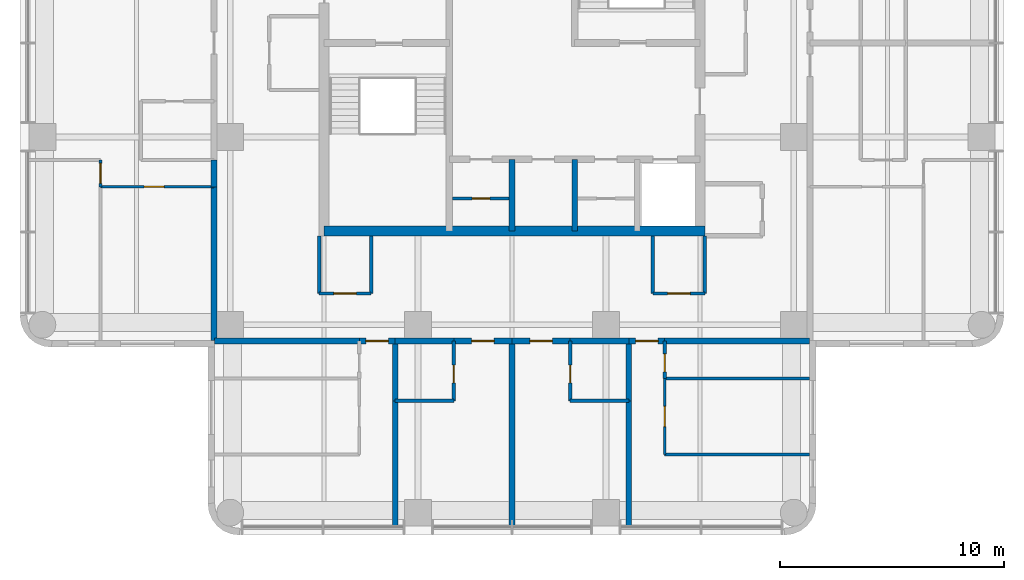
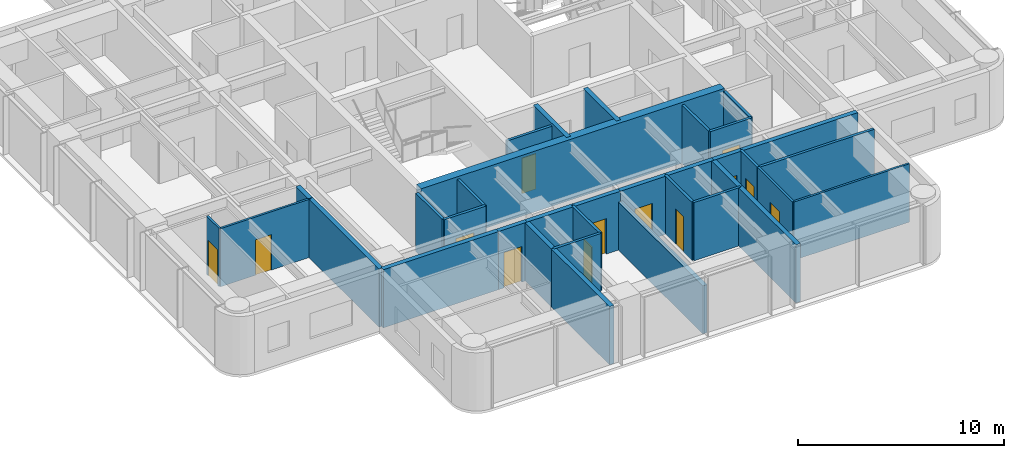
# One storey, part 4 of 10: 35 walls, 13 doors, 13 openings.
"""IFC4 building model written with IfcOpenShell, lengths in metres."""

from ifc_helpers import new_model, si_unit, direction, frame, frame_2d, origin, place, context, subcontext, project, spatial, rectangle, extrude, material, layer, layer_set, type_object, element, fill, save


model = new_model("IFC4")

# Units and contexts
model_context = context("Model", 3, precision=1e-05, world=origin(), true_north=direction((0.0, 1.0)))
body_context = subcontext(model_context, "Body", "Model", "MODEL_VIEW")
ifc_project = project(units=[si_unit("LENGTHUNIT", "METRE"), si_unit("AREAUNIT", "SQUARE_METRE"), si_unit("VOLUMEUNIT", "CUBIC_METRE"), si_unit("PLANEANGLEUNIT", "RADIAN"), si_unit("MASSUNIT", "GRAM", prefix="KILO")], contexts=[model_context])

# Site, building, storey
site_placement = place(None, origin())
site = spatial("IfcSite", under=ifc_project, at=site_placement, CompositionType="ELEMENT")
building_placement = place(site_placement, origin())
building = spatial("IfcBuilding", under=site, at=building_placement, Name="Torre Alcanfor", CompositionType="ELEMENT")
storey_placement = place(building_placement, frame((0.0, 0.0, 279.300048828125)))
storey = spatial("IfcBuildingStorey", under=building, at=storey_placement, Name="L73", CompositionType="ELEMENT", Elevation=279.300048828125)

# Wall, opening, door
ifc_material_1 = material(Name="Concrete block masonry, hollow blocks NMX-C-404 9 MPa", Category="masonry")
ifc_layer_1 = layer(ifc_material_1, 0.25)
ifc_layer_set_1 = layer_set([ifc_layer_1], Name="Apartment entrance wall 250 EI 60")
wall_type_1 = type_object("IfcWallType", Name="Apartment entrance wall 250 EI 60", PredefinedType="PARTITIONING", material=ifc_layer_set_1)
wall_1_placement = place(storey_placement, frame((32.0, 16.074951171875, 0.0), z_axis=(0.0, 0.0, 1.0), x_axis=(-1.0, 0.0, 0.0)))
wall_1 = element("IfcWall", 1, at=wall_1_placement, inside=storey, type_object=wall_type_1, Name="Partition L73-CORR / L73-S1A-STUDIO", PredefinedType="PARTITIONING", context=body_context, shape_type="SweptSolid", body=[
    extrude(rectangle(XDim=2.60009765625, YDim=0.25, at=frame_2d((1.300048828125, 0.0))), origin(), (0.0, 0.0, 1.0), 3.449951171875),
])
opening_1_placement = place(wall_1_placement, frame((0.800048828125, 0.0, 0.0)))
opening_1 = element("IfcOpeningElement", 2, at=opening_1_placement, cuts=wall_1, Name="Opening D-A1", PredefinedType="OPENING", context=body_context, shape_type="SweptSolid", body=[
    extrude(rectangle(XDim=1.0, YDim=2.10009765625, at=frame_2d((0.5, 1.050048828125))), frame((0.0, 0.135009765625, 0.0), z_axis=(0.0, -1.0, 0.0), x_axis=(1.0, 0.0, 0.0)), (0.0, 0.0, 1.0), 0.27001953125),
])
ifc_material_2 = material(Name="Galvanised steel sheet ASTM A653", Category="steel")
door_type_1 = type_object("IfcDoorType", Name="Apartment entrance door FD60 1000x2100", OperationType="SINGLE_SWING_LEFT", PredefinedType="DOOR", material=ifc_material_2)
door_1_placement = place(opening_1_placement, origin())
door_1 = element("IfcDoor", 3, at=door_1_placement, inside=storey, type_object=door_type_1, Name="Apartment entrance L73-S1A", OperationType="SINGLE_SWING_LEFT", OverallHeight=2.10009765625, OverallWidth=1.0, PredefinedType="DOOR", context=body_context, shape_type="SweptSolid", body=[
    extrude(rectangle(XDim=1.0, YDim=2.10009765625, at=frame_2d((0.5, 1.050048828125))), frame((0.0, 0.02490234375, 0.0), z_axis=(0.0, -1.0, 0.0), x_axis=(1.0, 0.0, 0.0)), (0.0, 0.0, 1.0), 0.050048828125),
])
fill(opening_1, door_1)

# Wall
wall_2_placement = place(storey_placement, frame((34.62890625, 16.074951171875, 0.0), z_axis=(0.0, 0.0, 1.0), x_axis=(-1.0, 0.0, 0.0)))
element("IfcWall", 4, at=wall_2_placement, inside=storey, type_object=wall_type_1, Name="Partition L73-CORR / L73-S1A-BATH", PredefinedType="PARTITIONING", context=body_context, shape_type="SweptSolid", body=[
    extrude(rectangle(XDim=2.62890625, YDim=0.25, at=frame_2d((1.314453125, 0.0))), origin(), (0.0, 0.0, 1.0), 3.449951171875),
])

# Wall, opening, door
wall_3_placement = place(storey_placement, frame((36.22900390625, 16.074951171875, 0.0), z_axis=(0.0, 0.0, 1.0), x_axis=(-1.0, 0.0, 0.0)))
wall_3 = element("IfcWall", 5, at=wall_3_placement, inside=storey, type_object=wall_type_1, Name="Partition L73-CORR / L73-S1B-LIVING", PredefinedType="PARTITIONING", context=body_context, shape_type="SweptSolid", body=[
    extrude(rectangle(XDim=1.60009765625, YDim=0.25, at=frame_2d((0.800048828125, 0.0))), origin(), (0.0, 0.0, 1.0), 3.449951171875),
])
opening_2_placement = place(wall_3_placement, frame((0.300048828125, 0.0, 0.0)))
opening_2 = element("IfcOpeningElement", 6, at=opening_2_placement, cuts=wall_3, Name="Opening D-A1", PredefinedType="OPENING", context=body_context, shape_type="SweptSolid", body=[
    extrude(rectangle(XDim=1.0, YDim=2.10009765625, at=frame_2d((0.5, 1.050048828125))), frame((0.0, 0.135009765625, 0.0), z_axis=(0.0, -1.0, 0.0), x_axis=(1.0, 0.0, 0.0)), (0.0, 0.0, 1.0), 0.27001953125),
])
door_2_placement = place(opening_2_placement, origin())
door_2 = element("IfcDoor", 7, at=door_2_placement, inside=storey, type_object=door_type_1, Name="Apartment entrance L73-S1B", OperationType="SINGLE_SWING_LEFT", OverallHeight=2.10009765625, OverallWidth=1.0, PredefinedType="DOOR", context=body_context, shape_type="SweptSolid", body=[
    extrude(rectangle(XDim=1.0, YDim=2.10009765625, at=frame_2d((0.5, 1.050048828125))), frame((0.0, 0.02490234375, 0.0), z_axis=(0.0, -1.0, 0.0), x_axis=(1.0, 0.0, 0.0)), (0.0, 0.0, 1.0), 0.050048828125),
])
fill(opening_2, door_2)

# Wall
wall_4_placement = place(storey_placement, frame((42.699951171875, 16.074951171875, 0.0), z_axis=(0.0, 0.0, 1.0), x_axis=(-1.0, 0.0, 0.0)))
element("IfcWall", 8, at=wall_4_placement, inside=storey, type_object=wall_type_1, Name="Partition L73-CORR / L73-S1B-BATH", PredefinedType="PARTITIONING", context=body_context, shape_type="SweptSolid", body=[
    extrude(rectangle(XDim=6.470947265625, YDim=0.25, at=frame_2d((3.2353515625, 0.0))), origin(), (0.0, 0.0, 1.0), 3.449951171875),
])

# Wall, opening, door
wall_5_placement = place(storey_placement, frame((29.39990234375, 16.074951171875, 0.0), z_axis=(0.0, 0.0, 1.0), x_axis=(-1.0, 0.0, 0.0)))
wall_5 = element("IfcWall", 9, at=wall_5_placement, inside=storey, type_object=wall_type_1, Name="Partition L73-CORR / L73-S2A-STUDIO", PredefinedType="PARTITIONING", context=body_context, shape_type="SweptSolid", body=[
    extrude(rectangle(XDim=2.599853515625, YDim=0.25, at=frame_2d((1.2998046875, 0.0))), origin(), (0.0, 0.0, 1.0), 3.449951171875),
])
opening_3_placement = place(wall_5_placement, frame((0.800048828125, 0.0, 0.0)))
opening_3 = element("IfcOpeningElement", 10, at=opening_3_placement, cuts=wall_5, Name="Opening D-A1", PredefinedType="OPENING", context=body_context, shape_type="SweptSolid", body=[
    extrude(rectangle(XDim=1.0, YDim=2.10009765625, at=frame_2d((0.5, 1.050048828125))), frame((0.0, 0.135009765625, 0.0), z_axis=(0.0, -1.0, 0.0), x_axis=(1.0, 0.0, 0.0)), (0.0, 0.0, 1.0), 0.27001953125),
])
door_3_placement = place(opening_3_placement, origin())
door_3 = element("IfcDoor", 11, at=door_3_placement, inside=storey, type_object=door_type_1, Name="Apartment entrance L73-S2A", OperationType="SINGLE_SWING_LEFT", OverallHeight=2.10009765625, OverallWidth=1.0, PredefinedType="DOOR", context=body_context, shape_type="SweptSolid", body=[
    extrude(rectangle(XDim=1.0, YDim=2.10009765625, at=frame_2d((0.5, 1.050048828125))), frame((0.0, 0.02490234375, 0.0), z_axis=(0.0, -1.0, 0.0), x_axis=(1.0, 0.0, 0.0)), (0.0, 0.0, 1.0), 0.050048828125),
])
fill(opening_3, door_3)

# Wall
wall_6_placement = place(storey_placement, frame((26.800048828125, 16.074951171875, 0.0), z_axis=(0.0, 0.0, 1.0), x_axis=(-1.0, 0.0, 0.0)))
element("IfcWall", 12, at=wall_6_placement, inside=storey, type_object=wall_type_1, Name="Partition L73-CORR / L73-S2A-BATH", PredefinedType="PARTITIONING", context=body_context, shape_type="SweptSolid", body=[
    extrude(rectangle(XDim=2.629150390625, YDim=0.25, at=frame_2d((1.314453125, 0.0))), origin(), (0.0, 0.0, 1.0), 3.449951171875),
])

# Wall, opening, door
wall_7_placement = place(storey_placement, frame((24.1708984375, 16.074951171875, 0.0), z_axis=(0.0, 0.0, 1.0), x_axis=(-1.0, 0.0, 0.0)))
wall_7 = element("IfcWall", 13, at=wall_7_placement, inside=storey, type_object=wall_type_1, Name="Partition L73-CORR / L73-S2B-LIVING", PredefinedType="PARTITIONING", context=body_context, shape_type="SweptSolid", body=[
    extrude(rectangle(XDim=1.599853515625, YDim=0.25, at=frame_2d((0.7998046875, 0.0))), origin(), (0.0, 0.0, 1.0), 3.449951171875),
])
opening_4_placement = place(wall_7_placement, frame((0.300048828125, 0.0, 0.0)))
opening_4 = element("IfcOpeningElement", 14, at=opening_4_placement, cuts=wall_7, Name="Opening D-A1", PredefinedType="OPENING", context=body_context, shape_type="SweptSolid", body=[
    extrude(rectangle(XDim=1.0, YDim=2.10009765625, at=frame_2d((0.5, 1.050048828125))), frame((0.0, 0.135009765625, 0.0), z_axis=(0.0, -1.0, 0.0), x_axis=(1.0, 0.0, 0.0)), (0.0, 0.0, 1.0), 0.27001953125),
])
door_4_placement = place(opening_4_placement, origin())
door_4 = element("IfcDoor", 15, at=door_4_placement, inside=storey, type_object=door_type_1, Name="Apartment entrance L73-S2B", OperationType="SINGLE_SWING_LEFT", OverallHeight=2.10009765625, OverallWidth=1.0, PredefinedType="DOOR", context=body_context, shape_type="SweptSolid", body=[
    extrude(rectangle(XDim=1.0, YDim=2.10009765625, at=frame_2d((0.5, 1.050048828125))), frame((0.0, 0.02490234375, 0.0), z_axis=(0.0, -1.0, 0.0), x_axis=(1.0, 0.0, 0.0)), (0.0, 0.0, 1.0), 0.050048828125),
])
fill(opening_4, door_4)

# Walls
wall_8_placement = place(storey_placement, frame((22.571044921875, 16.074951171875, 0.0), z_axis=(0.0, 0.0, 1.0), x_axis=(-1.0, 0.0, 0.0)))
element("IfcWall", 16, at=wall_8_placement, inside=storey, type_object=wall_type_1, Name="Partition L73-CORR / L73-S2B-BATH", PredefinedType="PARTITIONING", context=body_context, shape_type="SweptSolid", body=[
    extrude(rectangle(XDim=6.470947265625, YDim=0.25, at=frame_2d((3.2353515625, 0.0))), origin(), (0.0, 0.0, 1.0), 3.449951171875),
])
wall_9_placement = place(storey_placement, frame((16.074951171875, 22.970947265625, 0.0), z_axis=(0.0, 0.0, 1.0), x_axis=(0.0, 1.0, 0.0)))
element("IfcWall", 17, at=wall_9_placement, inside=storey, type_object=wall_type_1, Name="Partition L73-CORR / L73-WX-LIVING", PredefinedType="PARTITIONING", context=body_context, shape_type="SweptSolid", body=[
    extrude(rectangle(XDim=1.199951171875, YDim=0.25, at=frame_2d((0.60009765625, 0.0))), origin(), (0.0, 0.0, 1.0), 3.449951171875),
])
wall_10_placement = place(storey_placement, frame((16.074951171875, 16.10009765625, 0.0), z_axis=(0.0, 0.0, 1.0), x_axis=(0.0, 1.0, 0.0)))
element("IfcWall", 18, at=wall_10_placement, inside=storey, type_object=wall_type_1, Name="Partition L73-CORR / L73-WX-BED2", PredefinedType="PARTITIONING", context=body_context, shape_type="SweptSolid", body=[
    extrude(rectangle(XDim=6.870849609375, YDim=0.25, at=frame_2d((3.435546875, 0.0))), origin(), (0.0, 0.0, 1.0), 3.449951171875),
])

# Wall, opening, door
ifc_material_3 = material(Name="Gypsum board on steel studs", Category="steel")
ifc_layer_2 = layer(ifc_material_3, 0.1201171875)
ifc_layer_set_2 = layer_set([ifc_layer_2], Name="Apartment partition 120")
wall_type_2 = type_object("IfcWallType", Name="Apartment partition 120", PredefinedType="PARTITIONING", material=ifc_layer_set_2)
wall_11_placement = place(storey_placement, frame((36.22900390625, 14.39990234375, 0.0), z_axis=(0.0, 0.0, 1.0), x_axis=(0.0, -1.0, 0.0)))
wall_11 = element("IfcWall", 19, at=wall_11_placement, inside=storey, type_object=wall_type_2, Name="Partition L73-S1B-LIVING / L73-S1B-MASTER", PredefinedType="PARTITIONING", context=body_context, shape_type="SweptSolid", body=[
    extrude(rectangle(XDim=3.39990234375, YDim=0.1201171875, at=frame_2d((1.699951171875, 0.0))), origin(), (0.0, 0.0, 1.0), 3.449951171875),
])
opening_5_placement = place(wall_11_placement, frame((1.25, 0.0, 0.0)))
opening_5 = element("IfcOpeningElement", 20, at=opening_5_placement, cuts=wall_11, Name="Opening D-R1", PredefinedType="OPENING", context=body_context, shape_type="SweptSolid", body=[
    extrude(rectangle(XDim=0.89990234375, YDim=2.10009765625, at=frame_2d((0.449951171875, 1.050048828125))), frame((0.0, 0.070068359375, 0.0), z_axis=(0.0, -1.0, 0.0), x_axis=(1.0, 0.0, 0.0)), (0.0, 0.0, 1.0), 0.14013671875),
])
ifc_material_4 = material(Name="Timber", Category="wood")
door_type_2 = type_object("IfcDoorType", Name="Internal door 900x2100", OperationType="SINGLE_SWING_LEFT", PredefinedType="DOOR", material=ifc_material_4)
door_5_placement = place(opening_5_placement, origin())
door_5 = element("IfcDoor", 21, at=door_5_placement, inside=storey, type_object=door_type_2, Name="Door L73-S1B master", OperationType="SINGLE_SWING_LEFT", OverallHeight=2.10009765625, OverallWidth=0.89990234375, PredefinedType="DOOR", context=body_context, shape_type="SweptSolid", body=[
    extrude(rectangle(XDim=0.89990234375, YDim=2.10009765625, at=frame_2d((0.449951171875, 1.050048828125))), frame((0.0, 0.02490234375, 0.0), z_axis=(0.0, -1.0, 0.0), x_axis=(1.0, 0.0, 0.0)), (0.0, 0.0, 1.0), 0.050048828125),
])
fill(opening_5, door_5)

# Wall
wall_12_placement = place(storey_placement, frame((36.22900390625, 11.0, 0.0), z_axis=(0.0, 0.0, 1.0), x_axis=(1.0, 0.0, 0.0)))
element("IfcWall", 22, at=wall_12_placement, inside=storey, type_object=wall_type_2, Name="Partition L73-S1B-LIVING / L73-S1B-MASTER", PredefinedType="PARTITIONING", context=body_context, shape_type="SweptSolid", body=[
    extrude(rectangle(XDim=6.470947265625, YDim=0.1201171875, at=frame_2d((3.2353515625, 0.0))), origin(), (0.0, 0.0, 1.0), 3.449951171875),
])

# Wall, opening, door
wall_13_placement = place(storey_placement, frame((16.074951171875, 22.970947265625, 0.0), z_axis=(0.0, 0.0, 1.0), x_axis=(-1.0, 0.0, 0.0)))
wall_13 = element("IfcWall", 23, at=wall_13_placement, inside=storey, type_object=wall_type_2, Name="Partition L73-WX-LIVING / L73-WX-BED2", PredefinedType="PARTITIONING", context=body_context, shape_type="SweptSolid", body=[
    extrude(rectangle(XDim=5.074951171875, YDim=0.1201171875, at=frame_2d((2.53759765625, 0.0))), origin(), (0.0, 0.0, 1.0), 3.449951171875),
])
opening_6_placement = place(wall_13_placement, frame((2.22509765625, 0.0, 0.0)))
opening_6 = element("IfcOpeningElement", 24, at=opening_6_placement, cuts=wall_13, Name="Opening D-R1", PredefinedType="OPENING", context=body_context, shape_type="SweptSolid", body=[
    extrude(rectangle(XDim=0.89990234375, YDim=2.10009765625, at=frame_2d((0.449951171875, 1.050048828125))), frame((0.0, 0.070068359375, 0.0), z_axis=(0.0, -1.0, 0.0), x_axis=(1.0, 0.0, 0.0)), (0.0, 0.0, 1.0), 0.14013671875),
])
door_6_placement = place(opening_6_placement, origin())
door_6 = element("IfcDoor", 25, at=door_6_placement, inside=storey, type_object=door_type_2, Name="Door L73-WX bed2", OperationType="SINGLE_SWING_RIGHT", OverallHeight=2.10009765625, OverallWidth=0.89990234375, PredefinedType="DOOR", context=body_context, shape_type="SweptSolid", body=[
    extrude(rectangle(XDim=0.89990234375, YDim=2.10009765625, at=frame_2d((0.449951171875, 1.050048828125))), frame((0.0, 0.02490234375, 0.0), z_axis=(0.0, -1.0, 0.0), x_axis=(1.0, 0.0, 0.0)), (0.0, 0.0, 1.0), 0.050048828125),
])
fill(opening_6, door_6)

wall_14_placement = place(storey_placement, frame((11.0, 22.970947265625, 0.0), z_axis=(0.0, 0.0, 1.0), x_axis=(0.0, 1.0, 0.0)))
wall_14 = element("IfcWall", 26, at=wall_14_placement, inside=storey, type_object=wall_type_2, Name="Partition L73-WX-LIVING / L73-WX-MASTER", PredefinedType="PARTITIONING", context=body_context, shape_type="SweptSolid", body=[
    extrude(rectangle(XDim=1.199951171875, YDim=0.1201171875, at=frame_2d((0.60009765625, 0.0))), origin(), (0.0, 0.0, 1.0), 3.449951171875),
])
opening_7_placement = place(wall_14_placement, frame((0.14892578125, 0.0, 0.0)))
opening_7 = element("IfcOpeningElement", 27, at=opening_7_placement, cuts=wall_14, Name="Opening D-R1", PredefinedType="OPENING", context=body_context, shape_type="SweptSolid", body=[
    extrude(rectangle(XDim=0.89990234375, YDim=2.10009765625, at=frame_2d((0.449951171875, 1.050048828125))), frame((0.0, 0.070068359375, 0.0), z_axis=(0.0, -1.0, 0.0), x_axis=(1.0, 0.0, 0.0)), (0.0, 0.0, 1.0), 0.14013671875),
])
door_7_placement = place(opening_7_placement, origin())
door_7 = element("IfcDoor", 28, at=door_7_placement, inside=storey, type_object=door_type_2, Name="Door L73-WX master", OperationType="SINGLE_SWING_RIGHT", OverallHeight=2.10009765625, OverallWidth=0.89990234375, PredefinedType="DOOR", context=body_context, shape_type="SweptSolid", body=[
    extrude(rectangle(XDim=0.89990234375, YDim=2.10009765625, at=frame_2d((0.449951171875, 1.050048828125))), frame((0.0, 0.02490234375, 0.0), z_axis=(0.0, -1.0, 0.0), x_axis=(1.0, 0.0, 0.0)), (0.0, 0.0, 1.0), 0.050048828125),
])
fill(opening_7, door_7)

# Walls
ifc_material_5 = material(Name="Concrete f'c 70 MPa", Category="concrete")
ifc_layer_3 = layer(ifc_material_5, 0.25)
ifc_layer_set_3 = layer_set([ifc_layer_3], Name="Core shaft wall 250 f'c70")
wall_type_3 = type_object("IfcWallType", Name="Core shaft wall 250 f'c70", PredefinedType="SHEAR", material=ifc_layer_set_3)
for number, where, z_axis, x_axis, name in (
    (29, (29.39990234375, 21.0, 0.0), (0.0, 0.0, 1.0), (0.0, 1.0, 0.0), "Core wall X294S L73"),
    (30, (32.199951171875, 21.0, 0.0), (0.0, 0.0, 1.0), (0.0, 1.0, 0.0), "Core wall X322S L73"),
):
    element("IfcWall", number, at=place(storey_placement, frame(where, z_axis=z_axis, x_axis=x_axis)), inside=storey, type_object=wall_type_3, Name=name, PredefinedType="SHEAR", context=body_context, shape_type="SweptSolid", body=[
        extrude(rectangle(XDim=3.199951171875, YDim=0.25, at=frame_2d((1.60009765625, 0.0))), origin(), (0.0, 0.0, 1.0), 3.599853515625),
    ])
ifc_material_6 = material(Name="Concrete f'c 70 MPa", Category="concrete")
ifc_layer_4 = layer(ifc_material_6, 0.449951171875)
ifc_layer_set_4 = layer_set([ifc_layer_4], Name="Core wall 450 f'c70")
wall_type_4 = type_object("IfcWallType", Name="Core wall 450 f'c70", PredefinedType="SHEAR", material=ifc_layer_set_4)
wall_15_placement = place(storey_placement, frame((21.0, 21.0, 0.0), z_axis=(0.0, 0.0, 1.0), x_axis=(1.0, 0.0, 0.0)))
element("IfcWall", 31, at=wall_15_placement, inside=storey, type_object=wall_type_4, Name="Core wall OUT-S L73", PredefinedType="SHEAR", context=body_context, shape_type="SweptSolid", body=[
    extrude(rectangle(XDim=17.02490234375, YDim=0.449951171875, at=frame_2d((8.512451171875, 0.0))), origin(), (0.0, 0.0, 1.0), 3.599853515625),
])
ifc_material_7 = material(Name="Concrete block masonry, hollow blocks NMX-C-404 9 MPa", Category="masonry")
ifc_layer_5 = layer(ifc_material_7, 0.25)
ifc_layer_set_5 = layer_set([ifc_layer_5], Name="Party wall 250 EI 60")
wall_type_5 = type_object("IfcWallType", Name="Party wall 250 EI 60", PredefinedType="PARTITIONING", material=ifc_layer_set_5)
wall_16_placement = place(storey_placement, frame((34.62890625, 13.39990234375, 0.0), z_axis=(0.0, 0.0, 1.0), x_axis=(0.0, -1.0, 0.0)))
element("IfcWall", 32, at=wall_16_placement, inside=storey, type_object=wall_type_5, Name="Partition L73-S1A-STUDIO / L73-S1B-LIVING", PredefinedType="PARTITIONING", context=body_context, shape_type="SweptSolid", body=[
    extrude(rectangle(XDim=5.64990234375, YDim=0.25, at=frame_2d((2.824951171875, 0.0))), origin(), (0.0, 0.0, 1.0), 3.449951171875),
])
wall_17_placement = place(storey_placement, frame((29.39990234375, 7.75, 0.0), z_axis=(0.0, 0.0, 1.0), x_axis=(0.0, 1.0, 0.0)))
element("IfcWall", 33, at=wall_17_placement, inside=storey, type_object=wall_type_5, Name="Partition L73-S1A-STUDIO / L73-S2A-STUDIO", PredefinedType="PARTITIONING", context=body_context, shape_type="SweptSolid", body=[
    extrude(rectangle(XDim=8.324951171875, YDim=0.25, at=frame_2d((4.16259765625, 0.0))), origin(), (0.0, 0.0, 1.0), 2.847900390625),
])
wall_18_placement = place(storey_placement, frame((34.62890625, 13.39990234375, 0.0), z_axis=(0.0, 0.0, 1.0), x_axis=(0.0, 1.0, 0.0)))
element("IfcWall", 34, at=wall_18_placement, inside=storey, type_object=wall_type_5, Name="Partition L73-S1A-BATH / L73-S1B-LIVING", PredefinedType="PARTITIONING", context=body_context, shape_type="SweptSolid", body=[
    extrude(rectangle(XDim=2.675048828125, YDim=0.25, at=frame_2d((1.33740234375, 0.0))), origin(), (0.0, 0.0, 1.0), 3.449951171875),
])
wall_19_placement = place(storey_placement, frame((24.1708984375, 7.75, 0.0), z_axis=(0.0, 0.0, 1.0), x_axis=(0.0, 1.0, 0.0)))
element("IfcWall", 35, at=wall_19_placement, inside=storey, type_object=wall_type_5, Name="Partition L73-S2A-STUDIO / L73-S2B-LIVING", PredefinedType="PARTITIONING", context=body_context, shape_type="SweptSolid", body=[
    extrude(rectangle(XDim=5.64990234375, YDim=0.25, at=frame_2d((2.824951171875, 0.0))), origin(), (0.0, 0.0, 1.0), 3.449951171875),
])
wall_20_placement = place(storey_placement, frame((24.1708984375, 13.39990234375, 0.0), z_axis=(0.0, 0.0, 1.0), x_axis=(0.0, 1.0, 0.0)))
element("IfcWall", 36, at=wall_20_placement, inside=storey, type_object=wall_type_5, Name="Partition L73-S2A-BATH / L73-S2B-LIVING", PredefinedType="PARTITIONING", context=body_context, shape_type="SweptSolid", body=[
    extrude(rectangle(XDim=2.675048828125, YDim=0.25, at=frame_2d((1.33740234375, 0.0))), origin(), (0.0, 0.0, 1.0), 3.449951171875),
])
ifc_material_8 = material(Name="Concrete block masonry, hollow blocks NMX-C-404 9 MPa", Category="masonry")
ifc_layer_6 = layer(ifc_material_8, 0.14990234375)
ifc_layer_set_6 = layer_set([ifc_layer_6], Name="Residents' room partition 150")
wall_type_6 = type_object("IfcWallType", Name="Residents' room partition 150", PredefinedType="PARTITIONING", material=ifc_layer_set_6)
wall_21_placement = place(storey_placement, frame((20.77490234375, 20.77490234375, 0.0), z_axis=(0.0, 0.0, 1.0), x_axis=(0.0, -1.0, 0.0)))
element("IfcWall", 37, at=wall_21_placement, inside=storey, type_object=wall_type_6, Name="Partition L73-CORR / L73-G05", PredefinedType="PARTITIONING", context=body_context, shape_type="SweptSolid", body=[
    extrude(rectangle(XDim=2.574951171875, YDim=0.14990234375, at=frame_2d((1.28759765625, 0.0))), origin(), (0.0, 0.0, 1.0), 3.449951171875),
])

# Wall, opening, door
wall_22_placement = place(storey_placement, frame((20.77490234375, 18.199951171875, 0.0), z_axis=(0.0, 0.0, 1.0), x_axis=(1.0, 0.0, 0.0)))
wall_22 = element("IfcWall", 38, at=wall_22_placement, inside=storey, type_object=wall_type_6, Name="Partition L73-CORR / L73-G05", PredefinedType="PARTITIONING", context=body_context, shape_type="SweptSolid", body=[
    extrude(rectangle(XDim=2.3251953125, YDim=0.14990234375, at=frame_2d((1.16259765625, 0.0))), origin(), (0.0, 0.0, 1.0), 3.449951171875),
])
opening_8_placement = place(wall_22_placement, frame((0.66259765625, 0.0, 0.0)))
opening_8 = element("IfcOpeningElement", 39, at=opening_8_placement, cuts=wall_22, Name="Opening D-M1", PredefinedType="OPENING", context=body_context, shape_type="SweptSolid", body=[
    extrude(rectangle(XDim=1.0, YDim=2.10009765625, at=frame_2d((0.5, 1.050048828125))), frame((0.0, 0.0849609375, 0.0), z_axis=(0.0, -1.0, 0.0), x_axis=(1.0, 0.0, 0.0)), (0.0, 0.0, 1.0), 0.169921875),
])
ifc_material_9 = material(Name="Timber", Category="wood")
door_type_3 = type_object("IfcDoorType", Name="Residents' room door 1000x2100", OperationType="SINGLE_SWING_LEFT", PredefinedType="DOOR", material=ifc_material_9)
door_8_placement = place(opening_8_placement, origin())
door_8 = element("IfcDoor", 40, at=door_8_placement, inside=storey, type_object=door_type_3, Name="Door L73-G05 residents' lockers", OperationType="SINGLE_SWING_LEFT", OverallHeight=2.10009765625, OverallWidth=1.0, PredefinedType="DOOR", context=body_context, shape_type="SweptSolid", body=[
    extrude(rectangle(XDim=1.0, YDim=2.10009765625, at=frame_2d((0.5, 1.050048828125))), frame((0.0, 0.02490234375, 0.0), z_axis=(0.0, -1.0, 0.0), x_axis=(1.0, 0.0, 0.0)), (0.0, 0.0, 1.0), 0.050048828125),
])
fill(opening_8, door_8)

# Walls
for number, where, z_axis, x_axis, name in (
    (41, (23.10009765625, 18.199951171875, 0.0), (0.0, 0.0, 1.0), (0.0, 1.0, 0.0), "Partition L73-CORR / L73-G05"),
    (42, (35.699951171875, 20.77490234375, 0.0), (0.0, 0.0, 1.0), (0.0, -1.0, 0.0), "Partition L73-CORR / L73-G06"),
):
    element("IfcWall", number, at=place(storey_placement, frame(where, z_axis=z_axis, x_axis=x_axis)), inside=storey, type_object=wall_type_6, Name=name, PredefinedType="PARTITIONING", context=body_context, shape_type="SweptSolid", body=[
        extrude(rectangle(XDim=2.574951171875, YDim=0.14990234375, at=frame_2d((1.28759765625, 0.0))), origin(), (0.0, 0.0, 1.0), 3.449951171875),
    ])

# Wall, opening, door
wall_23_placement = place(storey_placement, frame((35.699951171875, 18.199951171875, 0.0), z_axis=(0.0, 0.0, 1.0), x_axis=(1.0, 0.0, 0.0)))
wall_23 = element("IfcWall", 43, at=wall_23_placement, inside=storey, type_object=wall_type_6, Name="Partition L73-CORR / L73-G06", PredefinedType="PARTITIONING", context=body_context, shape_type="SweptSolid", body=[
    extrude(rectangle(XDim=2.324951171875, YDim=0.14990234375, at=frame_2d((1.16259765625, 0.0))), origin(), (0.0, 0.0, 1.0), 3.449951171875),
])
opening_9_placement = place(wall_23_placement, frame((0.66259765625, 0.0, 0.0)))
opening_9 = element("IfcOpeningElement", 44, at=opening_9_placement, cuts=wall_23, Name="Opening D-M1", PredefinedType="OPENING", context=body_context, shape_type="SweptSolid", body=[
    extrude(rectangle(XDim=1.0, YDim=2.10009765625, at=frame_2d((0.5, 1.050048828125))), frame((0.0, 0.0849609375, 0.0), z_axis=(0.0, -1.0, 0.0), x_axis=(1.0, 0.0, 0.0)), (0.0, 0.0, 1.0), 0.169921875),
])
door_9_placement = place(opening_9_placement, origin())
door_9 = element("IfcDoor", 45, at=door_9_placement, inside=storey, type_object=door_type_3, Name="Door L73-G06 residents' storage", OperationType="SINGLE_SWING_LEFT", OverallHeight=2.10009765625, OverallWidth=1.0, PredefinedType="DOOR", context=body_context, shape_type="SweptSolid", body=[
    extrude(rectangle(XDim=1.0, YDim=2.10009765625, at=frame_2d((0.5, 1.050048828125))), frame((0.0, 0.02490234375, 0.0), z_axis=(0.0, -1.0, 0.0), x_axis=(1.0, 0.0, 0.0)), (0.0, 0.0, 1.0), 0.050048828125),
])
fill(opening_9, door_9)

# Wall
wall_24_placement = place(storey_placement, frame((38.02490234375, 18.199951171875, 0.0), z_axis=(0.0, 0.0, 1.0), x_axis=(0.0, 1.0, 0.0)))
element("IfcWall", 46, at=wall_24_placement, inside=storey, type_object=wall_type_6, Name="Partition L73-CORR / L73-G06", PredefinedType="PARTITIONING", context=body_context, shape_type="SweptSolid", body=[
    extrude(rectangle(XDim=2.574951171875, YDim=0.14990234375, at=frame_2d((1.28759765625, 0.0))), origin(), (0.0, 0.0, 1.0), 3.449951171875),
])

# Wall, opening, door
wall_25_placement = place(storey_placement, frame((26.75, 22.449951171875, 0.0), z_axis=(0.0, 0.0, 1.0), x_axis=(1.0, 0.0, 0.0)))
wall_25 = element("IfcWall", 47, at=wall_25_placement, inside=storey, type_object=wall_type_6, Name="Partition L73-PA1R / L73-PA1C", PredefinedType="PARTITIONING", context=body_context, shape_type="SweptSolid", body=[
    extrude(rectangle(XDim=2.52490234375, YDim=0.14990234375, at=frame_2d((1.262451171875, 0.0))), origin(), (0.0, 0.0, 1.0), 3.449951171875),
])
opening_10_placement = place(wall_25_placement, frame((0.862548828125, 0.0, 0.0)))
opening_10 = element("IfcOpeningElement", 48, at=opening_10_placement, cuts=wall_25, Name="Opening D-R2", PredefinedType="OPENING", context=body_context, shape_type="SweptSolid", body=[
    extrude(rectangle(XDim=0.800048828125, YDim=2.10009765625, at=frame_2d((0.39990234375, 1.050048828125))), frame((0.0, 0.0849609375, 0.0), z_axis=(0.0, -1.0, 0.0), x_axis=(1.0, 0.0, 0.0)), (0.0, 0.0, 1.0), 0.169921875),
])
ifc_material_10 = material(Name="Timber", Category="wood")
door_type_4 = type_object("IfcDoorType", Name="Bathroom door 800x2100", OperationType="SINGLE_SWING_LEFT", PredefinedType="DOOR", material=ifc_material_10)
door_10_placement = place(opening_10_placement, frame((0.800048828125, 0.0, 0.0), z_axis=(0.0, 0.0, 1.0), x_axis=(-1.0, 0.0, 0.0)))
door_10 = element("IfcDoor", 49, at=door_10_placement, inside=storey, type_object=door_type_4, Name="Battery and UPS cupboard door L73", OperationType="SINGLE_SWING_RIGHT", OverallHeight=2.10009765625, OverallWidth=0.800048828125, PredefinedType="DOOR", context=body_context, shape_type="SweptSolid", body=[
    extrude(rectangle(XDim=0.800048828125, YDim=2.10009765625, at=frame_2d((0.400146484375, 1.050048828125))), frame((0.0, 0.025146484375, 0.0), z_axis=(0.0, -1.0, 0.0), x_axis=(1.0, 0.0, 0.0)), (0.0, 0.0, 1.0), 0.050048828125),
])
fill(opening_10, door_10)

ifc_material_11 = material(Name="Cement board on steel studs", Category="steel")
ifc_layer_7 = layer(ifc_material_11, 0.14990234375)
ifc_layer_set_7 = layer_set([ifc_layer_7], Name="Wet area partition 150")
wall_type_7 = type_object("IfcWallType", Name="Wet area partition 150", PredefinedType="PARTITIONING", material=ifc_layer_set_7)
wall_26_placement = place(storey_placement, frame((32.0, 16.074951171875, 0.0), z_axis=(0.0, 0.0, 1.0), x_axis=(0.0, -1.0, 0.0)))
wall_26 = element("IfcWall", 50, at=wall_26_placement, inside=storey, type_object=wall_type_7, Name="Partition L73-S1A-STUDIO / L73-S1A-BATH", PredefinedType="PARTITIONING", context=body_context, shape_type="SweptSolid", body=[
    extrude(rectangle(XDim=2.675048828125, YDim=0.14990234375, at=frame_2d((1.33740234375, 0.0))), origin(), (0.0, 0.0, 1.0), 3.449951171875),
])
opening_11_placement = place(wall_26_placement, frame((1.074951171875, 0.0, 0.0)))
opening_11 = element("IfcOpeningElement", 51, at=opening_11_placement, cuts=wall_26, Name="Opening D-R2", PredefinedType="OPENING", context=body_context, shape_type="SweptSolid", body=[
    extrude(rectangle(XDim=0.800048828125, YDim=2.10009765625, at=frame_2d((0.39990234375, 1.050048828125))), frame((0.0, 0.0849609375, 0.0), z_axis=(0.0, -1.0, 0.0), x_axis=(1.0, 0.0, 0.0)), (0.0, 0.0, 1.0), 0.169921875),
])
door_11_placement = place(opening_11_placement, origin())
door_11 = element("IfcDoor", 52, at=door_11_placement, inside=storey, type_object=door_type_4, Name="Door L73-S1A bath", OperationType="SINGLE_SWING_RIGHT", OverallHeight=2.10009765625, OverallWidth=0.800048828125, PredefinedType="DOOR", context=body_context, shape_type="SweptSolid", body=[
    extrude(rectangle(XDim=0.800048828125, YDim=2.10009765625, at=frame_2d((0.39990234375, 1.050048828125))), frame((0.0, 0.02490234375, 0.0), z_axis=(0.0, -1.0, 0.0), x_axis=(1.0, 0.0, 0.0)), (0.0, 0.0, 1.0), 0.050048828125),
])
fill(opening_11, door_11)

# Wall
wall_27_placement = place(storey_placement, frame((32.0, 13.39990234375, 0.0), z_axis=(0.0, 0.0, 1.0), x_axis=(1.0, 0.0, 0.0)))
element("IfcWall", 53, at=wall_27_placement, inside=storey, type_object=wall_type_7, Name="Partition L73-S1A-STUDIO / L73-S1A-BATH", PredefinedType="PARTITIONING", context=body_context, shape_type="SweptSolid", body=[
    extrude(rectangle(XDim=2.62890625, YDim=0.14990234375, at=frame_2d((1.314453125, 0.0))), origin(), (0.0, 0.0, 1.0), 3.449951171875),
])

# Wall, opening, door
wall_28_placement = place(storey_placement, frame((36.22900390625, 16.074951171875, 0.0), z_axis=(0.0, 0.0, 1.0), x_axis=(0.0, -1.0, 0.0)))
wall_28 = element("IfcWall", 54, at=wall_28_placement, inside=storey, type_object=wall_type_7, Name="Partition L73-S1B-LIVING / L73-S1B-BATH", PredefinedType="PARTITIONING", context=body_context, shape_type="SweptSolid", body=[
    extrude(rectangle(XDim=1.675048828125, YDim=0.14990234375, at=frame_2d((0.83740234375, 0.0))), origin(), (0.0, 0.0, 1.0), 3.449951171875),
])
opening_12_placement = place(wall_28_placement, frame((0.574951171875, 0.0, 0.0)))
opening_12 = element("IfcOpeningElement", 55, at=opening_12_placement, cuts=wall_28, Name="Opening D-R2", PredefinedType="OPENING", context=body_context, shape_type="SweptSolid", body=[
    extrude(rectangle(XDim=0.800048828125, YDim=2.10009765625, at=frame_2d((0.39990234375, 1.050048828125))), frame((0.0, 0.0849609375, 0.0), z_axis=(0.0, -1.0, 0.0), x_axis=(1.0, 0.0, 0.0)), (0.0, 0.0, 1.0), 0.169921875),
])
door_12_placement = place(opening_12_placement, origin())
door_12 = element("IfcDoor", 56, at=door_12_placement, inside=storey, type_object=door_type_4, Name="Door L73-S1B bath", OperationType="SINGLE_SWING_RIGHT", OverallHeight=2.10009765625, OverallWidth=0.800048828125, PredefinedType="DOOR", context=body_context, shape_type="SweptSolid", body=[
    extrude(rectangle(XDim=0.800048828125, YDim=2.10009765625, at=frame_2d((0.39990234375, 1.050048828125))), frame((0.0, 0.02490234375, 0.0), z_axis=(0.0, -1.0, 0.0), x_axis=(1.0, 0.0, 0.0)), (0.0, 0.0, 1.0), 0.050048828125),
])
fill(opening_12, door_12)

# Walls
wall_29_placement = place(storey_placement, frame((36.22900390625, 14.39990234375, 0.0), z_axis=(0.0, 0.0, 1.0), x_axis=(1.0, 0.0, 0.0)))
element("IfcWall", 57, at=wall_29_placement, inside=storey, type_object=wall_type_7, Name="Partition L73-S1B-BATH / L73-S1B-MASTER", PredefinedType="PARTITIONING", context=body_context, shape_type="SweptSolid", body=[
    extrude(rectangle(XDim=6.470947265625, YDim=0.14990234375, at=frame_2d((3.2353515625, 0.0))), origin(), (0.0, 0.0, 1.0), 3.449951171875),
])
wall_30_placement = place(storey_placement, frame((24.1708984375, 13.39990234375, 0.0), z_axis=(0.0, 0.0, 1.0), x_axis=(1.0, 0.0, 0.0)))
element("IfcWall", 58, at=wall_30_placement, inside=storey, type_object=wall_type_7, Name="Partition L73-S2A-STUDIO / L73-S2A-BATH", PredefinedType="PARTITIONING", context=body_context, shape_type="SweptSolid", body=[
    extrude(rectangle(XDim=2.629150390625, YDim=0.14990234375, at=frame_2d((1.314453125, 0.0))), origin(), (0.0, 0.0, 1.0), 3.449951171875),
])

# Wall, opening, door
wall_31_placement = place(storey_placement, frame((26.800048828125, 13.39990234375, 0.0), z_axis=(0.0, 0.0, 1.0), x_axis=(0.0, 1.0, 0.0)))
wall_31 = element("IfcWall", 59, at=wall_31_placement, inside=storey, type_object=wall_type_7, Name="Partition L73-S2A-STUDIO / L73-S2A-BATH", PredefinedType="PARTITIONING", context=body_context, shape_type="SweptSolid", body=[
    extrude(rectangle(XDim=2.675048828125, YDim=0.14990234375, at=frame_2d((1.33740234375, 0.0))), origin(), (0.0, 0.0, 1.0), 3.449951171875),
])
opening_13_placement = place(wall_31_placement, frame((0.800048828125, 0.0, 0.0)))
opening_13 = element("IfcOpeningElement", 60, at=opening_13_placement, cuts=wall_31, Name="Opening D-R2", PredefinedType="OPENING", context=body_context, shape_type="SweptSolid", body=[
    extrude(rectangle(XDim=0.800048828125, YDim=2.10009765625, at=frame_2d((0.39990234375, 1.050048828125))), frame((0.0, 0.0849609375, 0.0), z_axis=(0.0, -1.0, 0.0), x_axis=(1.0, 0.0, 0.0)), (0.0, 0.0, 1.0), 0.169921875),
])
door_13_placement = place(opening_13_placement, origin())
door_13 = element("IfcDoor", 61, at=door_13_placement, inside=storey, type_object=door_type_4, Name="Door L73-S2A bath", OperationType="SINGLE_SWING_LEFT", OverallHeight=2.10009765625, OverallWidth=0.800048828125, PredefinedType="DOOR", context=body_context, shape_type="SweptSolid", body=[
    extrude(rectangle(XDim=0.800048828125, YDim=2.10009765625, at=frame_2d((0.39990234375, 1.050048828125))), frame((0.0, 0.02490234375, 0.0), z_axis=(0.0, -1.0, 0.0), x_axis=(1.0, 0.0, 0.0)), (0.0, 0.0, 1.0), 0.050048828125),
])
fill(opening_13, door_13)

save(model, "model.ifc")
